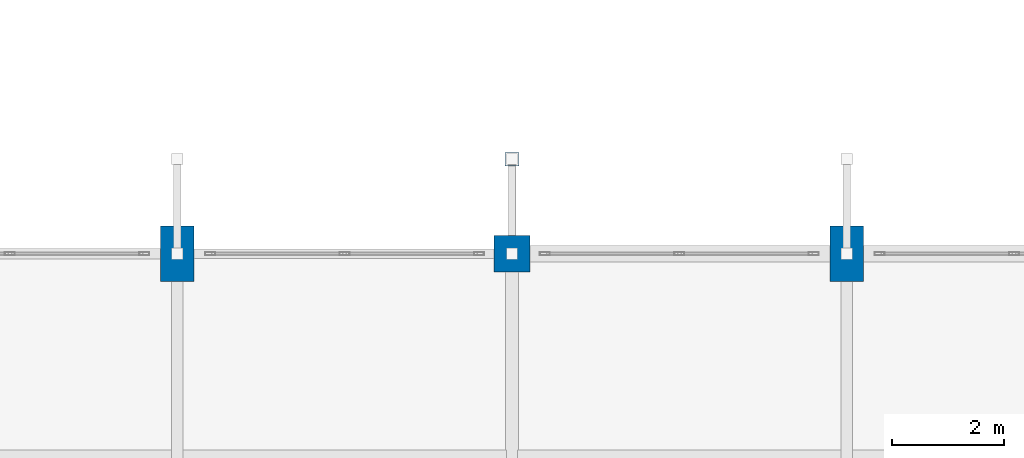
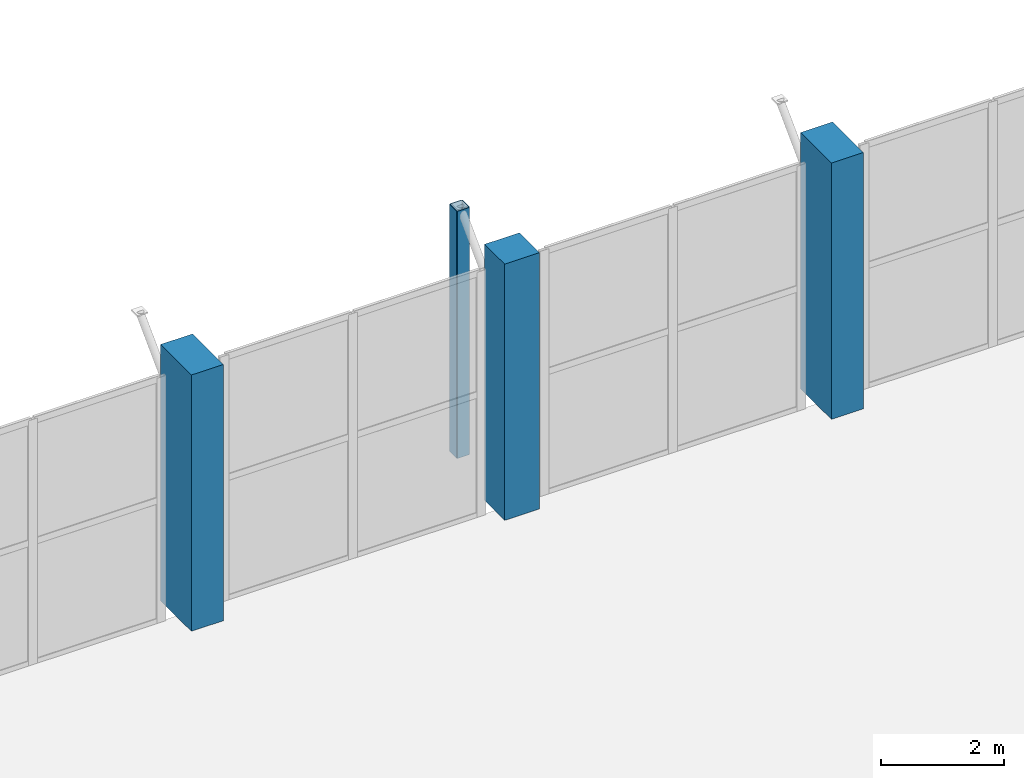
# One storey, part 8 of 127: 4 columns.
"""IFC4 building model written with IfcOpenShell, lengths in metres."""

from ifc_helpers import new_model, si_unit, direction, frame, origin, origin_2d, place, context, subcontext, project, spatial, rectangle, hollow_rectangle, extrude, material, material_profile, profile_set, type_object, element, save


model = new_model("IFC4")

# Units and contexts
model_context = context("Model", 3, precision=1e-05, world=origin(), true_north=direction((0.0, 1.0)))
body_context = subcontext(model_context, "Body", "Model", "MODEL_VIEW")
ifc_project = project(units=[si_unit("LENGTHUNIT", "METRE"), si_unit("AREAUNIT", "SQUARE_METRE"), si_unit("VOLUMEUNIT", "CUBIC_METRE"), si_unit("PLANEANGLEUNIT", "RADIAN"), si_unit("MASSUNIT", "GRAM", prefix="KILO")], contexts=[model_context])

# Site, building, storey
site_placement = place(None, origin())
site = spatial("IfcSite", under=ifc_project, at=site_placement, CompositionType="ELEMENT")
building_placement = place(site_placement, origin())
building = spatial("IfcBuilding", under=site, at=building_placement, Name="Dunvalen Ferry Terminal", CompositionType="ELEMENT")
storey_placement = place(building_placement, frame((0.0, 0.0, 5.760009765625)))
storey = spatial("IfcBuildingStorey", under=building, at=storey_placement, Name="L01", CompositionType="ELEMENT", Elevation=5.760009765625)

# Columns
ifc_material_1 = material(Name="Concrete C40/50", Category="concrete")
ifc_material_profile_1 = material_profile(ifc_material_1, rectangle(XDim=0.60009765625, YDim=1.0, at=origin_2d()), Name="Concrete C40/50")
ifc_profile_set_1 = profile_set([ifc_material_profile_1], Name="Concrete C40/50")
column_type_1 = type_object("IfcColumnType", Name="STR-COL-PIER1000", PredefinedType="COLUMN", material=ifc_profile_set_1)
for number, where, z_axis, x_axis, name in (
    (1, (48.0, 86.39990234375, 0.0), (0.0, 0.0, 1.0), (1.0, 0.0, 0.0), "L01 Departure Hall Upper Pier 22"),
    (2, (60.0, 86.39990234375, 0.0), (0.0, 0.0, 1.0), (1.0, 0.0, 0.0), "L01 Departure Hall Upper Pier 24"),
):
    element("IfcColumn", number, at=place(storey_placement, frame(where, z_axis=z_axis, x_axis=x_axis)), inside=storey, type_object=column_type_1, Name=name, PredefinedType="COLUMN", context=body_context, shape_type="SweptSolid", body=[
        extrude(rectangle(XDim=0.60009765625, YDim=1.0, at=origin_2d()), origin(), (0.0, 0.0, 1.0), 5.080078125),
    ])
ifc_material_profile_2 = material_profile(ifc_material_1, rectangle(XDim=0.64990234375, YDim=0.64990234375, at=origin_2d()), Name="Concrete C40/50")
ifc_profile_set_2 = profile_set([ifc_material_profile_2], Name="Concrete C40/50")
column_type_2 = type_object("IfcColumnType", Name="STR-COL-RC650", PredefinedType="COLUMN", material=ifc_profile_set_2)
column_1_placement = place(storey_placement, frame((54.0, 86.39990234375, 0.0), z_axis=(0.0, 0.0, 1.0), x_axis=(1.0, 0.0, 0.0)))
element("IfcColumn", 3, at=column_1_placement, inside=storey, type_object=column_type_2, Name="L01 Departure Hall Upper Pier 23", PredefinedType="COLUMN", context=body_context, shape_type="SweptSolid", body=[
    extrude(rectangle(XDim=0.64990234375, YDim=0.64990234375, at=origin_2d()), origin(), (0.0, 0.0, 1.0), 5.080078125),
])
ifc_material_2 = material(Name="Steel S355", Category="steel")
ifc_material_profile_3 = material_profile(ifc_material_2, hollow_rectangle(XDim=0.25, YDim=0.25, WallThickness=0.010009765625, InnerFilletRadius=0.010009765625, OuterFilletRadius=0.02001953125, at=origin_2d()), Name="Steel S355")
ifc_profile_set_3 = profile_set([ifc_material_profile_3], Name="Steel S355")
column_type_3 = type_object("IfcColumnType", Name="STR-COL-SHS250", PredefinedType="COLUMN", material=ifc_profile_set_3)
column_2_placement = place(storey_placement, frame((54.0, 88.10009765625, 0.0), z_axis=(0.0, 0.0, 1.0), x_axis=(1.0, 0.0, 0.0)))
element("IfcColumn", 4, at=column_2_placement, inside=storey, type_object=column_type_3, Name="L01 Eave Colonnade Post 2", PredefinedType="COLUMN", context=body_context, shape_type="SweptSolid", body=[
    extrude(hollow_rectangle(XDim=0.25, YDim=0.25, WallThickness=0.010009765625, InnerFilletRadius=0.010009765625, OuterFilletRadius=0.02001953125, at=origin_2d()), origin(), (0.0, 0.0, 1.0), 4.89990234375),
])

save(model, "model.ifc")
